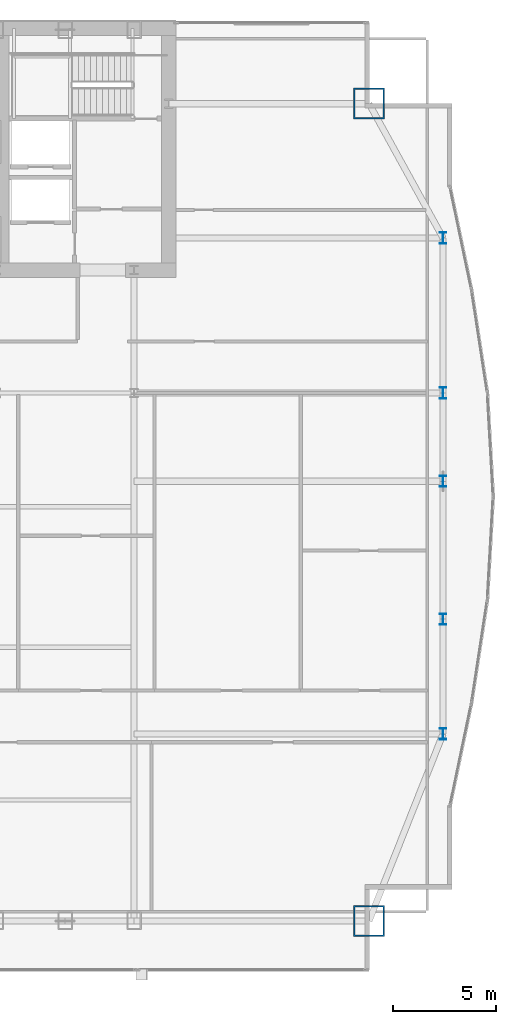
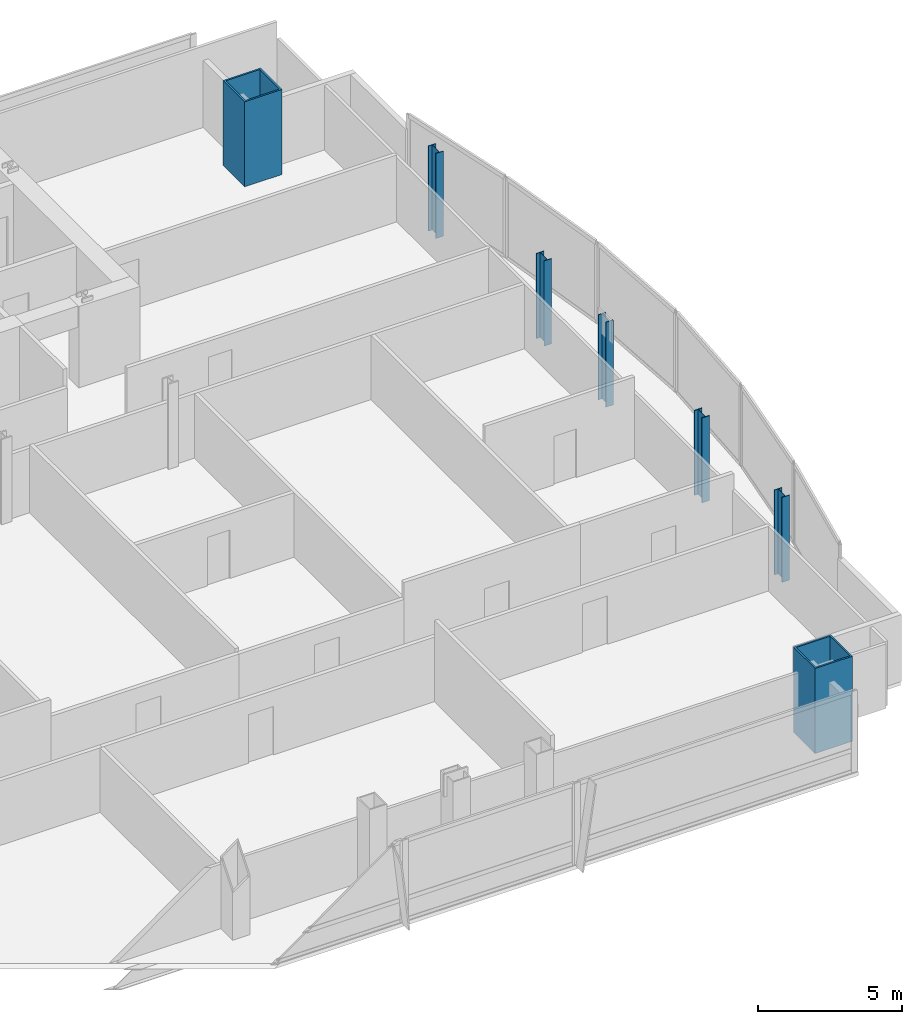
# One storey, part 4 of 33: 7 columns.
"""IFC4 building model written with IfcOpenShell, lengths in metres."""

from ifc_helpers import new_model, si_unit, direction, frame, origin, origin_2d, place, context, subcontext, project, spatial, hollow_rectangle, i_section, extrude, material, material_profile, profile_set, type_object, element, save


model = new_model("IFC4")

# Units and contexts
model_context = context("Model", 3, precision=1e-05, world=origin(), true_north=direction((0.0, 1.0)))
body_context = subcontext(model_context, "Body", "Model", "MODEL_VIEW")
ifc_project = project(units=[si_unit("LENGTHUNIT", "METRE"), si_unit("AREAUNIT", "SQUARE_METRE"), si_unit("VOLUMEUNIT", "CUBIC_METRE"), si_unit("PLANEANGLEUNIT", "RADIAN"), si_unit("MASSUNIT", "GRAM", prefix="KILO")], contexts=[model_context])

# Site, building, storey
site_placement = place(None, origin())
site = spatial("IfcSite", under=ifc_project, at=site_placement, CompositionType="ELEMENT")
building_placement = place(site_placement, origin())
building = spatial("IfcBuilding", under=site, at=building_placement, Name="Khoronbel Lancet Exchange", CompositionType="ELEMENT")
storey_placement = place(building_placement, frame((0.0, 0.0, 114.60009765625)))
storey = spatial("IfcBuildingStorey", under=building, at=storey_placement, Name="L27", CompositionType="ELEMENT", Elevation=114.60009765625)

# Columns
ifc_material_1 = material(Name="Steel S355", Category="steel")
ifc_material_profile_1 = material_profile(ifc_material_1, i_section(OverallWidth=0.300048828125, OverallDepth=0.550048828125, WebThickness=0.014892578125, FlangeThickness=0.029052734375, at=origin_2d()), Name="HEB 550")
ifc_profile_set_1 = profile_set([ifc_material_profile_1], Name="Steel S355")
column_type_1 = type_object("IfcColumnType", Name="COL-LC1", PredefinedType="COLUMN", material=ifc_profile_set_1)
for number, where, z_axis, x_axis, name in (
    (1, (69.6298828125, 19.199951171875, 0.0), (0.0, 0.0, 1.0), (1.0, 0.0, 0.0), "Structural column EC-1 L27"),
    (2, (69.6298828125, 24.75, 0.0), (0.0, 0.0, 1.0), (1.0, 0.0, 0.0), "Structural column EC-2 L27"),
    (3, (69.6298828125, 31.425048828125, 0.0), (0.0, 0.0, 1.0), (1.0, 0.0, 0.0), "Structural column EC-M L27"),
    (4, (69.6298828125, 35.699951171875, 0.0), (0.0, 0.0, 1.0), (1.0, 0.0, 0.0), "Structural column EC-3 L27"),
    (5, (69.6298828125, 43.199951171875, 0.0), (0.0, 0.0, 1.0), (1.0, 0.0, 0.0), "Structural column EC-4 L27"),
):
    element("IfcColumn", number, at=place(storey_placement, frame(where, z_axis=z_axis, x_axis=x_axis)), inside=storey, type_object=column_type_1, Name=name, PredefinedType="COLUMN", context=body_context, shape_type="SweptSolid", body=[
        extrude(i_section(OverallWidth=0.300048828125, OverallDepth=0.550048828125, WebThickness=0.014892578125, FlangeThickness=0.029052734375, at=origin_2d()), origin(), (0.0, 0.0, 1.0), 3.599853515625),
    ])
ifc_material_2 = material(Name="Steel S460", Category="steel")
ifc_material_profile_2 = material_profile(ifc_material_2, hollow_rectangle(XDim=1.5, YDim=1.5, WallThickness=0.070068359375, at=origin_2d()), Name="BOX 1500x1500x70")
ifc_profile_set_2 = profile_set([ifc_material_profile_2], Name="Steel S460")
column_type_2 = type_object("IfcColumnType", Name="COL-MC3", PredefinedType="COLUMN", material=ifc_profile_set_2)
for number, where, z_axis, x_axis, name in (
    (6, (66.050048828125, 10.14990234375, 0.0), (0.0, 0.0, 1.0), (1.0, 0.0, 0.0), "Structural column MC-SE L27"),
    (7, (66.050048828125, 49.699951171875, 0.0), (0.0, 0.0, 1.0), (1.0, 0.0, 0.0), "Structural column MC-NE L27"),
):
    element("IfcColumn", number, at=place(storey_placement, frame(where, z_axis=z_axis, x_axis=x_axis)), inside=storey, type_object=column_type_2, Name=name, PredefinedType="COLUMN", context=body_context, shape_type="SweptSolid", body=[
        extrude(hollow_rectangle(XDim=1.5, YDim=1.5, WallThickness=0.070068359375, at=origin_2d()), origin(), (0.0, 0.0, 1.0), 3.599853515625),
    ])

save(model, "model.ifc")
